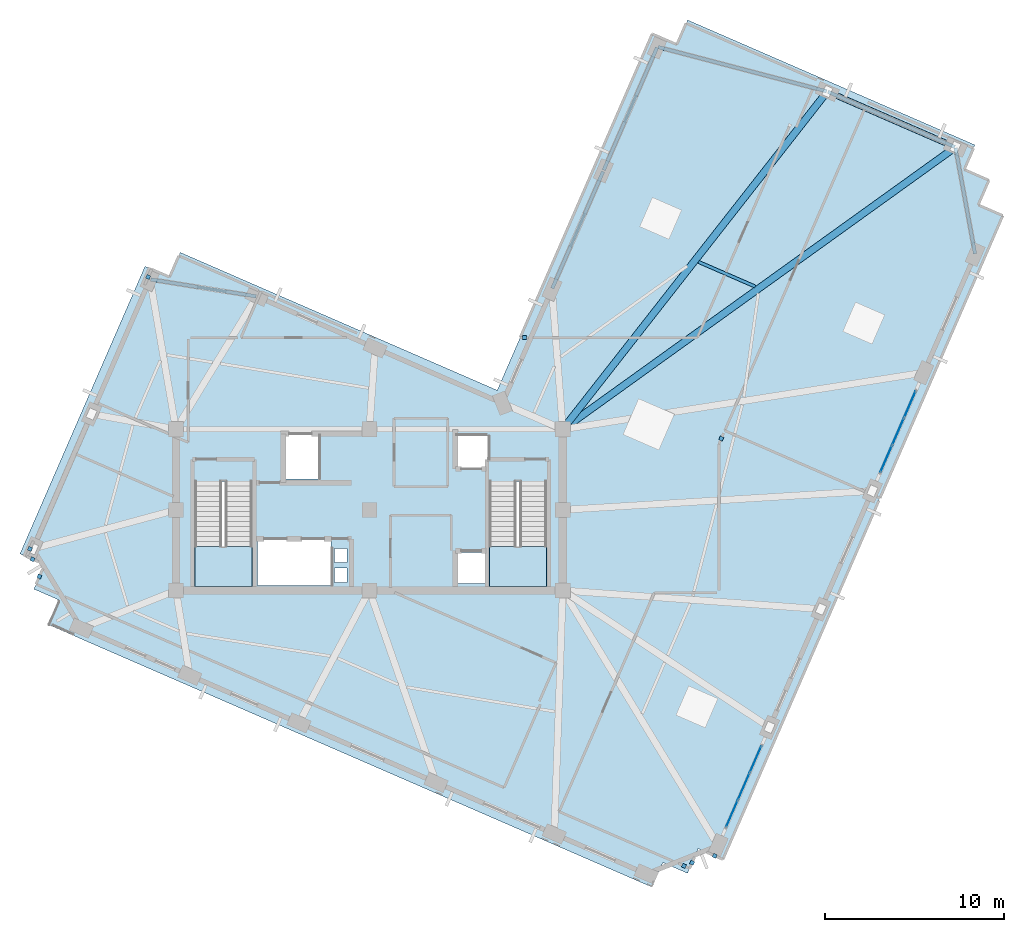
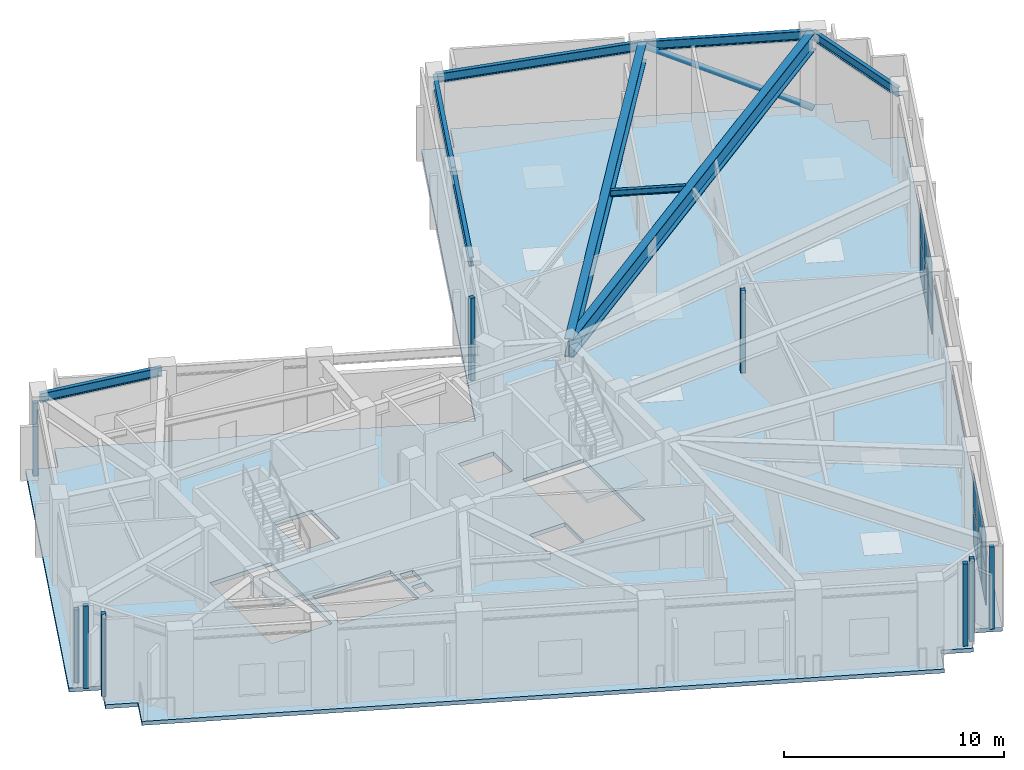
# One storey, part 3 of 11: 21 plates, 9 beams, 3 slabs, 1 member, 4 elements without a shape of their own.
"""IFC4 building model written with IfcOpenShell, lengths in metres."""

from ifc_helpers import new_model, si_unit, direction, frame, origin, origin_2d, place, context, subcontext, project, spatial, polyline, rectangle, hollow_circle, i_section, outline, extrude, material, layer, layer_set, material_profile, profile_set, type_object, element, aggregate, save


model = new_model("IFC4")

# Units and contexts
model_context = context("Model", 3, precision=1e-05, world=origin(), true_north=direction((0.0, 1.0)))
body_context = subcontext(model_context, "Body", "Model", "MODEL_VIEW")
ifc_project = project(units=[si_unit("LENGTHUNIT", "METRE"), si_unit("AREAUNIT", "SQUARE_METRE"), si_unit("VOLUMEUNIT", "CUBIC_METRE"), si_unit("PLANEANGLEUNIT", "RADIAN"), si_unit("MASSUNIT", "GRAM", prefix="KILO")], contexts=[model_context])

# Site, building, storey
site_placement = place(None, origin())
site = spatial("IfcSite", under=ifc_project, at=site_placement, CompositionType="ELEMENT")
building_placement = place(site_placement, origin())
building = spatial("IfcBuilding", under=site, at=building_placement, Name="Gaonmaruhae Medical Tower", CompositionType="ELEMENT")
storey_placement = place(building_placement, frame((0.0, 0.0, 328.60009765625)))
storey = spatial("IfcBuildingStorey", under=building, at=storey_placement, Name="L79", CompositionType="ELEMENT", Elevation=328.60009765625)

# Beams
ifc_material_1 = material(Name="Steel SM420", Category="steel")
ifc_material_profile_1 = material_profile(ifc_material_1, i_section(OverallWidth=0.39990234375, OverallDepth=1.0, WebThickness=0.02197265625, FlangeThickness=0.035888671875, at=origin_2d()), Name="BH-1000x400x22x36")
ifc_profile_set_1 = profile_set([ifc_material_profile_1], Name="Steel SM420")
beam_type_1 = type_object("IfcBeamType", Name="BG-02 Refuge Floor Primary Girder (BH-1000x400x22x36)", PredefinedType="BEAM", material=ifc_profile_set_1)
beam_1_placement = place(storey_placement, frame((35.640625, 16.8291015625, 4.079833984375), z_axis=(0.812127869731, 0.583479496818, 0.0), x_axis=(-0.583479496818, 0.812127869731, 0.0)))
element("IfcBeam", 1, at=beam_1_placement, inside=storey, type_object=beam_type_1, Name="L79 Radial Primary Girder E01", PredefinedType="BEAM", context=body_context, shape_type="SweptSolid", body=[
    extrude(i_section(OverallWidth=0.39990234375, OverallDepth=1.0, WebThickness=0.02197265625, FlangeThickness=0.035888671875, at=origin_2d()), origin(), (0.0, 0.0, 1.0), 26.89794921875),
])
beam_2_placement = place(storey_placement, frame((35.630859375, 16.83935546875, 4.079833984375), z_axis=(0.616575305367, 0.78729593725, 0.0), x_axis=(-0.78729593725, 0.616575305367, 0.0)))
element("IfcBeam", 2, at=beam_2_placement, inside=storey, type_object=beam_type_1, Name="L79 Radial Primary Girder E02", PredefinedType="BEAM", context=body_context, shape_type="SweptSolid", body=[
    extrude(i_section(OverallWidth=0.39990234375, OverallDepth=1.0, WebThickness=0.02197265625, FlangeThickness=0.035888671875, at=origin_2d()), origin(), (0.0, 0.0, 1.0), 23.859130859375),
])
ifc_material_2 = material(Name="Steel SM355", Category="steel")
ifc_material_profile_2 = material_profile(ifc_material_2, i_section(OverallWidth=0.175048828125, OverallDepth=0.35009765625, WebThickness=0.007080078125, FlangeThickness=0.010986328125, FilletRadius=0.012939453125, at=origin_2d()), Name="H-350x175x7x11")
ifc_profile_set_2 = profile_set([ifc_material_profile_2], Name="Steel SM355")
beam_type_2 = type_object("IfcBeamType", Name="FJ-02 Upper Zone Ward Floor Joist (H-350x175x7x11)", PredefinedType="JOIST", material=ifc_profile_set_2)
beam_3_placement = place(storey_placement, frame((46.34375, 24.771484375, 4.40478515625), z_axis=(-0.917037412136, 0.39880118448, 0.0), x_axis=(-0.39880118448, -0.917037412136, 0.0)))
element("IfcBeam", 3, at=beam_3_placement, inside=storey, type_object=beam_type_2, Name="L79 Secondary Floor Joist FJ06", PredefinedType="JOIST", context=body_context, shape_type="SweptSolid", body=[
    extrude(i_section(OverallWidth=0.175048828125, OverallDepth=0.35009765625, WebThickness=0.007080078125, FlangeThickness=0.010986328125, FilletRadius=0.012939453125, at=origin_2d()), origin(), (0.0, 0.0, 1.0), 3.448486328125),
])

# Member
ifc_material_profile_3 = material_profile(ifc_material_2, hollow_circle(Radius=0.1591796875, WallThickness=0.01025390625, at=origin_2d()), Name="CHS-318.5x10.3")
ifc_profile_set_3 = profile_set([ifc_material_profile_3], Name="Steel SM355")
member_type = type_object("IfcMemberType", Name="PB-03 Perimeter Solid-Bay Tube Brace Upper (CHS-318.5x10.3)", PredefinedType="BRACE", material=ifc_profile_set_3)
member_placement = place(storey_placement, frame((57.525634765625, 32.552734375, 0.25), z_axis=(-0.812607682162, 0.353328188377, 0.463495357247), x_axis=(-0.398745568807, -0.917061596272, 0.0)))
element("IfcMember", 4, at=member_placement, inside=storey, type_object=member_type, Name="L79 Perimeter Tube Solid-Bay Brace E01-E02", PredefinedType="BRACE", context=body_context, shape_type="SweptSolid", body=[
    extrude(hollow_circle(Radius=0.1591796875, WallThickness=0.01025390625, at=origin_2d()), origin(), (0.0, 0.0, 1.0), 8.80224609375),
])

# Beams
ifc_material_profile_4 = material_profile(ifc_material_2, i_section(OverallWidth=0.199951171875, OverallDepth=0.5, WebThickness=0.010009765625, FlangeThickness=0.01611328125, FilletRadius=0.012939453125, at=origin_2d()), Name="H-500x200x10x16")
ifc_profile_set_4 = profile_set([ifc_material_profile_4], Name="Steel SM355")
beam_type_3 = type_object("IfcBeamType", Name="SP-02 Upper Perimeter Spandrel Beam (H-500x200x10x16)", PredefinedType="SPANDREL", material=ifc_profile_set_4)
beam_4_placement = place(storey_placement, frame((58.622802734375, 26.60498046875, 4.329833984375), z_axis=(-0.181402379506, 0.983408957001, 0.0), x_axis=(-0.983408957001, -0.181402379506, 0.0)))
element("IfcBeam", 5, at=beam_4_placement, inside=storey, type_object=beam_type_3, Name="L79 Perimeter Spandrel Beam S06-E01", PredefinedType="SPANDREL", context=body_context, shape_type="SweptSolid", body=[
    extrude(i_section(OverallWidth=0.199951171875, OverallDepth=0.5, WebThickness=0.010009765625, FlangeThickness=0.01611328125, FilletRadius=0.012939453125, at=origin_2d()), origin(), (0.0, 0.0, 1.0), 6.0078125),
])
beam_5_placement = place(storey_placement, frame((57.489013671875, 32.568603515625, 4.329833984375), z_axis=(-0.91705648068, 0.398757333778, 0.0), x_axis=(-0.398757333778, -0.91705648068, 0.0)))
element("IfcBeam", 6, at=beam_5_placement, inside=storey, type_object=beam_type_3, Name="L79 Perimeter Spandrel Beam E01-E02", PredefinedType="SPANDREL", context=body_context, shape_type="SweptSolid", body=[
    extrude(i_section(OverallWidth=0.199951171875, OverallDepth=0.5, WebThickness=0.010009765625, FlangeThickness=0.01611328125, FilletRadius=0.012939453125, at=origin_2d()), origin(), (0.0, 0.0, 1.0), 7.719970703125),
])
beam_6_placement = place(storey_placement, frame((50.333984375, 35.673095703125, 4.329833984375), z_axis=(-0.967227039177, 0.253913084904, 0.0), x_axis=(-0.253913084904, -0.967227039177, 0.0)))
element("IfcBeam", 7, at=beam_6_placement, inside=storey, type_object=beam_type_3, Name="L79 Perimeter Spandrel Beam E02-E03", PredefinedType="SPANDREL", context=body_context, shape_type="SweptSolid", body=[
    extrude(i_section(OverallWidth=0.199951171875, OverallDepth=0.5, WebThickness=0.010009765625, FlangeThickness=0.01611328125, FilletRadius=0.012939453125, at=origin_2d()), origin(), (0.0, 0.0, 1.0), 9.7353515625),
])
beam_7_placement = place(storey_placement, frame((40.863037109375, 38.118408203125, 4.329833984375), z_axis=(-0.398738062403, -0.917064860079, 0.0), x_axis=(0.917064860079, -0.398738062403, 0.0)))
element("IfcBeam", 8, at=beam_7_placement, inside=storey, type_object=beam_type_3, Name="L79 Perimeter Spandrel Beam E03-EN01", PredefinedType="SPANDREL", context=body_context, shape_type="SweptSolid", body=[
    extrude(i_section(OverallWidth=0.199951171875, OverallDepth=0.5, WebThickness=0.010009765625, FlangeThickness=0.01611328125, FilletRadius=0.012939453125, at=origin_2d()), origin(), (0.0, 0.0, 1.0), 7.469970703125),
])
beam_8_placement = place(storey_placement, frame((37.8525390625, 31.194580078125, 4.329833984375), z_axis=(-0.398759965154, -0.917055336493, 0.0), x_axis=(0.917055336493, -0.398759965154, 0.0)))
element("IfcBeam", 9, at=beam_8_placement, inside=storey, type_object=beam_type_3, Name="L79 Perimeter Spandrel Beam EN01-EN02", PredefinedType="SPANDREL", context=body_context, shape_type="SweptSolid", body=[
    extrude(i_section(OverallWidth=0.199951171875, OverallDepth=0.5, WebThickness=0.010009765625, FlangeThickness=0.01611328125, FilletRadius=0.012939453125, at=origin_2d()), origin(), (0.0, 0.0, 1.0), 7.119873046875),
])
beam_9_placement = place(storey_placement, frame((18.4765625, 24.22265625, 4.329833984375), z_axis=(-0.987363817678, 0.158469844265, 0.0), x_axis=(-0.158469844265, -0.987363817678, 0.0)))
element("IfcBeam", 10, at=beam_9_placement, inside=storey, type_object=beam_type_3, Name="L79 Perimeter Spandrel Beam NE02-N01", PredefinedType="SPANDREL", context=body_context, shape_type="SweptSolid", body=[
    extrude(i_section(OverallWidth=0.199951171875, OverallDepth=0.5, WebThickness=0.010009765625, FlangeThickness=0.01611328125, FilletRadius=0.012939453125, at=origin_2d()), origin(), (0.0, 0.0, 1.0), 5.958984375),
])

# Curtain wall, plates
ifc_material_3 = material(Name="Anodised aluminium and Low-E double glazing", Category="aluminium")
curtain_wall_type = type_object("IfcCurtainWallType", Name="CW-S4 Setback Sky Garden Wintergarden Curtain Wall", PredefinedType="NOTDEFINED", material=ifc_material_3)
curtain_wall_1_placement = place(storey_placement, origin())
curtain_wall_1 = element("IfcCurtainWall", 11, at=curtain_wall_1_placement, inside=storey, type_object=curtain_wall_type, Name="L79 Curtain Wall CW-L79-S01", PredefinedType="NOTDEFINED")
ifc_material_4 = material(Name="Low-E double solar glass", Category="glass")
ifc_layer_1 = layer(ifc_material_4, 0.028076171875)
ifc_layer_set_1 = layer_set([ifc_layer_1], Name="Low-E double solar glass")
plate_type_1 = type_object("IfcPlateType", Name="CWP-V1 Low-E Double Vision Glazing Panel", PredefinedType="CURTAIN_PANEL", material=ifc_layer_set_1)
plate_1_placement = place(storey_placement, frame((46.3720703125, -1.625732421875, 0.06494140625), z_axis=(0.0, 0.0, 1.0), x_axis=(-0.398731932942, -0.917067525132, 0.0)))
plate_1 = element("IfcPlate", 12, at=plate_1_placement, type_object=plate_type_1, Name="CW-S4 panel 1.1", PredefinedType="CURTAIN_PANEL", context=body_context, shape_type="SweptSolid", body=[
    extrude(rectangle(XDim=1.577392578125, YDim=0.028076171875, at=origin_2d()), origin(), (0.0, 0.0, 1.0), 1.93505859375),
])
plate_2_placement = place(storey_placement, frame((46.3720703125, -1.625732421875, 2.06494140625), z_axis=(0.0, 0.0, 1.0), x_axis=(-0.398731932942, -0.917067525132, 0.0)))
plate_2 = element("IfcPlate", 13, at=plate_2_placement, type_object=plate_type_1, Name="CW-S4 panel 1.2", PredefinedType="CURTAIN_PANEL", context=body_context, shape_type="SweptSolid", body=[
    extrude(rectangle(XDim=1.577392578125, YDim=0.028076171875, at=origin_2d()), origin(), (0.0, 0.0, 1.0), 1.93505859375),
])
plate_3_placement = place(storey_placement, frame((45.710693359375, -3.14697265625, 0.06494140625), z_axis=(0.0, 0.0, 1.0), x_axis=(-0.398731932942, -0.917067525132, 0.0)))
plate_3 = element("IfcPlate", 14, at=plate_3_placement, type_object=plate_type_1, Name="CW-S4 panel 2.1", PredefinedType="CURTAIN_PANEL", context=body_context, shape_type="SweptSolid", body=[
    extrude(rectangle(XDim=1.60986328125, YDim=0.028076171875, at=origin_2d()), origin(), (0.0, 0.0, 1.0), 1.93505859375),
])
plate_4_placement = place(storey_placement, frame((45.710693359375, -3.14697265625, 2.06494140625), z_axis=(0.0, 0.0, 1.0), x_axis=(-0.398731932942, -0.917067525132, 0.0)))
plate_4 = element("IfcPlate", 15, at=plate_4_placement, type_object=plate_type_1, Name="CW-S4 panel 2.2", PredefinedType="CURTAIN_PANEL", context=body_context, shape_type="SweptSolid", body=[
    extrude(rectangle(XDim=1.60986328125, YDim=0.028076171875, at=origin_2d()), origin(), (0.0, 0.0, 1.0), 1.93505859375),
])
plate_5_placement = place(storey_placement, frame((45.04931640625, -4.668212890625, 0.06494140625), z_axis=(0.0, 0.0, 1.0), x_axis=(-0.398731932942, -0.917067525132, 0.0)))
plate_5 = element("IfcPlate", 16, at=plate_5_placement, type_object=plate_type_1, Name="CW-S4 panel 3.1", PredefinedType="CURTAIN_PANEL", context=body_context, shape_type="SweptSolid", body=[
    extrude(rectangle(XDim=1.577392578125, YDim=0.028076171875, at=origin_2d()), origin(), (0.0, 0.0, 1.0), 1.93505859375),
])
plate_6_placement = place(storey_placement, frame((45.04931640625, -4.668212890625, 2.06494140625), z_axis=(0.0, 0.0, 1.0), x_axis=(-0.398731932942, -0.917067525132, 0.0)))
plate_6 = element("IfcPlate", 17, at=plate_6_placement, type_object=plate_type_1, Name="CW-S4 panel 3.2", PredefinedType="CURTAIN_PANEL", context=body_context, shape_type="SweptSolid", body=[
    extrude(rectangle(XDim=1.577392578125, YDim=0.028076171875, at=origin_2d()), origin(), (0.0, 0.0, 1.0), 1.93505859375),
])
aggregate(curtain_wall_1, [plate_1, plate_2, plate_3, plate_4, plate_5, plate_6])

curtain_wall_2_placement = place(storey_placement, origin())
curtain_wall_2 = element("IfcCurtainWall", 18, at=curtain_wall_2_placement, inside=storey, type_object=curtain_wall_type, Name="L79 Curtain Wall CW-L79-S04", PredefinedType="NOTDEFINED")
plate_7_placement = place(storey_placement, frame((54.98486328125, 18.1826171875, 0.06494140625), z_axis=(0.0, 0.0, 1.0), x_axis=(-0.398748669551, -0.917060248038, 0.0)))
plate_7 = element("IfcPlate", 19, at=plate_7_placement, type_object=plate_type_1, Name="CW-S4 panel 1.1", PredefinedType="CURTAIN_PANEL", context=body_context, shape_type="SweptSolid", body=[
    extrude(rectangle(XDim=1.577392578125, YDim=0.028076171875, at=origin_2d()), origin(), (0.0, 0.0, 1.0), 1.93505859375),
])
plate_8_placement = place(storey_placement, frame((54.98486328125, 18.1826171875, 2.06494140625), z_axis=(0.0, 0.0, 1.0), x_axis=(-0.398748669551, -0.917060248038, 0.0)))
plate_8 = element("IfcPlate", 20, at=plate_8_placement, type_object=plate_type_1, Name="CW-S4 panel 1.2", PredefinedType="CURTAIN_PANEL", context=body_context, shape_type="SweptSolid", body=[
    extrude(rectangle(XDim=1.577392578125, YDim=0.028076171875, at=origin_2d()), origin(), (0.0, 0.0, 1.0), 1.93505859375),
])
plate_9_placement = place(storey_placement, frame((54.323486328125, 16.66162109375, 0.06494140625), z_axis=(0.0, 0.0, 1.0), x_axis=(-0.398748669551, -0.917060248038, 0.0)))
plate_9 = element("IfcPlate", 21, at=plate_9_placement, type_object=plate_type_1, Name="CW-S4 panel 2.1", PredefinedType="CURTAIN_PANEL", context=body_context, shape_type="SweptSolid", body=[
    extrude(rectangle(XDim=1.610107421875, YDim=0.028076171875, at=origin_2d()), origin(), (0.0, 0.0, 1.0), 1.93505859375),
])
plate_10_placement = place(storey_placement, frame((54.323486328125, 16.66162109375, 2.06494140625), z_axis=(0.0, 0.0, 1.0), x_axis=(-0.398748669551, -0.917060248038, 0.0)))
plate_10 = element("IfcPlate", 22, at=plate_10_placement, type_object=plate_type_1, Name="CW-S4 panel 2.2", PredefinedType="CURTAIN_PANEL", context=body_context, shape_type="SweptSolid", body=[
    extrude(rectangle(XDim=1.610107421875, YDim=0.028076171875, at=origin_2d()), origin(), (0.0, 0.0, 1.0), 1.93505859375),
])
plate_11_placement = place(storey_placement, frame((53.662109375, 15.140380859375, 0.06494140625), z_axis=(0.0, 0.0, 1.0), x_axis=(-0.398748669551, -0.917060248038, 0.0)))
plate_11 = element("IfcPlate", 23, at=plate_11_placement, type_object=plate_type_1, Name="CW-S4 panel 3.1", PredefinedType="CURTAIN_PANEL", context=body_context, shape_type="SweptSolid", body=[
    extrude(rectangle(XDim=1.577392578125, YDim=0.028076171875, at=origin_2d()), origin(), (0.0, 0.0, 1.0), 1.93505859375),
])
plate_12_placement = place(storey_placement, frame((53.662109375, 15.140380859375, 2.06494140625), z_axis=(0.0, 0.0, 1.0), x_axis=(-0.398748669551, -0.917060248038, 0.0)))
plate_12 = element("IfcPlate", 24, at=plate_12_placement, type_object=plate_type_1, Name="CW-S4 panel 3.2", PredefinedType="CURTAIN_PANEL", context=body_context, shape_type="SweptSolid", body=[
    extrude(rectangle(XDim=1.577392578125, YDim=0.028076171875, at=origin_2d()), origin(), (0.0, 0.0, 1.0), 1.93505859375),
])
aggregate(curtain_wall_2, [plate_7, plate_8, plate_9, plate_10, plate_11, plate_12])

# Slab
ifc_material_5 = material(Name="Concrete C40/50", Category="concrete")
ifc_layer_2 = layer(ifc_material_5, 0.219970703125)
ifc_layer_set_2 = layer_set([ifc_layer_2], Name="Concrete C40/50")
slab_type_1 = type_object("IfcSlabType", Name="FS-220 Clinical Ward Composite Floor Slab", PredefinedType="FLOOR", material=ifc_layer_set_2)
slab_1_placement = place(storey_placement, frame((0.0, 0.0, -0.22021484375)))
element("IfcSlab", 25, at=slab_1_placement, inside=storey, type_object=slab_type_1, Name="L79 Structural Slab 1", PredefinedType="FLOOR", context=body_context, shape_type="SweptSolid", body=[
    extrude(outline(polyline([(44.540283203125, -7.218017578125), (60.171142578125, 28.730712890625), (58.795654296875, 29.328857421875), (59.393798828125, 30.70458984375), (58.01806640625, 31.302490234375), (58.6162109375, 32.67822265625), (42.567626953125, 39.65625), (41.969482421875, 38.28076171875), (40.593994140625, 38.87890625), (31.941162109375, 18.978515625), (14.241943359375, 26.674560546875), (13.643798828125, 25.298828125), (12.268310546875, 25.89697265625), (5.2900390625, 9.848388671875), (6.665771484375, 9.25048828125), (6.0673828125, 7.874755859375), (7.443115234375, 7.276611328125), (6.844970703125, 5.901123046875), (40.5927734375, -8.77294921875), (41.19091796875, -7.397216796875), (42.56640625, -7.995361328125), (43.164794921875, -6.619873046875), (44.540283203125, -7.218017578125)]), holes=[polyline([(23.550048828125, 8.25), (22.85009765625, 8.25), (22.85009765625, 9.050048828125), (23.550048828125, 9.050048828125), (23.550048828125, 8.25)]), polyline([(29.574951171875, 9.925048828125), (31.425048828125, 9.925048828125), (31.425048828125, 8.175048828125), (29.574951171875, 8.175048828125), (29.574951171875, 9.925048828125)]), polyline([(18.550048828125, 10.625), (22.64990234375, 10.625), (22.64990234375, 8.074951171875), (18.550048828125, 8.074951171875), (18.550048828125, 10.625)]), polyline([(23.550048828125, 9.35009765625), (22.85009765625, 9.35009765625), (22.85009765625, 10.14990234375), (23.550048828125, 10.14990234375), (23.550048828125, 9.35009765625)]), polyline([(15.050048828125, 13.889892578125), (18.25, 13.889892578125), (18.25, 8.300048828125), (15.050048828125, 8.300048828125), (15.050048828125, 13.889892578125)]), polyline([(31.5, 13.889892578125), (34.699951171875, 13.889892578125), (34.699951171875, 8.300048828125), (31.5, 8.300048828125), (31.5, 13.889892578125)]), polyline([(21.949951171875, 16.574951171875), (21.949951171875, 14.02490234375), (19.949951171875, 14.02490234375), (19.949951171875, 16.574951171875), (21.949951171875, 16.574951171875)]), polyline([(31.425048828125, 16.425048828125), (31.425048828125, 14.675048828125), (29.574951171875, 14.675048828125), (29.574951171875, 16.425048828125), (31.425048828125, 16.425048828125)])]), origin(), (0.0, 0.0, 1.0), 0.22021484375),
])

# Plates
ifc_material_6 = material(Name="Anodised aluminium 6063-T6", Category="aluminium")
ifc_layer_3 = layer(ifc_material_6, 0.011962890625)
ifc_layer_set_3 = layer_set([ifc_layer_3], Name="Anodised aluminium 6063-T6")
plate_type_2 = type_object("IfcPlateType", Name="PP-01 Interior Partition Corner Stiffener Plate", PredefinedType="SHEET", material=ifc_layer_set_3)
for number, where, z_axis, x_axis, name in (
    (26, (44.45361328125, 16.281494140625, -0.000244140625), (0.0, 0.0, 1.0), (0.399325196016, 0.916809351952, 0.0), "L79 Partition Corner Stiffener Plate PLT-L79-JGP-PW017"),
    (27, (44.08740234375, -7.02099609375, -0.000244140625), (0.0, 0.0, 1.0), (-0.916879033383, 0.399165176517, 0.0), "L79 Partition Corner Stiffener Plate PLT-L79-JGP-PW019"),
    (28, (42.822998046875, -7.405029296875, -0.000244140625), (0.0, 0.0, 1.0), (-0.398829095996, -0.917025273473, 0.0), "L79 Partition Corner Stiffener Plate PLT-L79-JGP-PW020"),
    (29, (42.37109375, -7.5830078125, -0.000244140625), (0.0, 0.0, 1.0), (-0.917025273473, 0.398829095996, 0.0), "L79 Partition Corner Stiffener Plate PLT-L79-JGP-PW021"),
    (30, (33.45703125, 21.919921875, -0.000244140625), (0.0, 0.0, 1.0), (-1.0, 0.0, 0.0), "L79 Partition Corner Stiffener Plate PLT-L79-JGP-PW027"),
):
    element("IfcPlate", number, at=place(storey_placement, frame(where, z_axis=z_axis, x_axis=x_axis)), inside=storey, type_object=plate_type_2, Name=name, PredefinedType="SHEET", context=body_context, shape_type="SweptSolid", body=[
        extrude(rectangle(XDim=0.219970703125, YDim=0.219970703125, at=origin_2d()), origin(), (0.0, 0.0, 1.0), 4.580078125),
    ])
plate_13_placement = place(storey_placement, frame((5.845947265625, 10.12353515625, 0.0), z_axis=(0.0, 0.0, 1.0), x_axis=(0.39887711078, 0.917004389573, 0.0)))
element("IfcPlate", 31, at=plate_13_placement, inside=storey, type_object=plate_type_2, Name="L79 Partition Corner Stiffener Plate PLT-L79-JGP-PW033", PredefinedType="SHEET", context=body_context, shape_type="SweptSolid", body=[
    extrude(rectangle(XDim=0.219970703125, YDim=0.219970703125, at=origin_2d()), origin(), (0.0, 0.0, 1.0), 4.06494140625),
])
for number, where, z_axis, x_axis, name in (
    (32, (6.37451171875, 8.580078125, -0.000244140625), (0.0, 0.0, 1.0), (0.399693194693, 0.91664897868, 0.0), "L79 Partition Corner Stiffener Plate PLT-L79-JGP-PW040"),
    (33, (5.991455078125, 9.54345703125, -0.000244140625), (0.0, 0.0, 1.0), (-0.917004389573, 0.39887711078, 0.0), "L79 Partition Corner Stiffener Plate PLT-L79-JGP-PW041"),
):
    element("IfcPlate", number, at=place(storey_placement, frame(where, z_axis=z_axis, x_axis=x_axis)), inside=storey, type_object=plate_type_2, Name=name, PredefinedType="SHEET", context=body_context, shape_type="SweptSolid", body=[
        extrude(rectangle(XDim=0.219970703125, YDim=0.219970703125, at=origin_2d()), origin(), (0.0, 0.0, 1.0), 4.580078125),
    ])
plate_14_placement = place(storey_placement, frame((12.446044921875, 25.303466796875, 0.0), z_axis=(0.0, 0.0, 1.0), x_axis=(0.39887711078, 0.917004389573, 0.0)))
element("IfcPlate", 34, at=plate_14_placement, inside=storey, type_object=plate_type_2, Name="L79 Partition Corner Stiffener Plate PLT-L79-JGP-PW049", PredefinedType="SHEET", context=body_context, shape_type="SweptSolid", body=[
    extrude(rectangle(XDim=0.219970703125, YDim=0.219970703125, at=origin_2d()), origin(), (0.0, 0.0, 1.0), 4.06494140625),
])

# Stair, slab
stair_type = type_object("IfcStairType", Name="ST-T1 Primary Core Escape Dogleg Stair", PredefinedType="TWO_QUARTER_TURN_STAIR", material=ifc_material_5)
stair_1_placement = place(storey_placement, origin())
stair_1 = element("IfcStair", 35, at=stair_1_placement, inside=storey, type_object=stair_type, Name="L79 Protected Escape Stair ST-01", PredefinedType="TWO_QUARTER_TURN_STAIR")
ifc_layer_4 = layer(ifc_material_5, 0.199951171875)
ifc_layer_set_4 = layer_set([ifc_layer_4], Name="Concrete C40/50")
slab_type_2 = type_object("IfcSlabType", Name="SL-200 Stair & Ramp Intermediate Concrete Landing", PredefinedType="LANDING", material=ifc_layer_set_4)
slab_2_placement = place(storey_placement, frame((0.0, 0.0, 2.199951171875)))
slab_2 = element("IfcSlab", 36, at=slab_2_placement, type_object=slab_type_2, Name="ST-01 landing 1", PredefinedType="LANDING", context=body_context, shape_type="SweptSolid", body=[
    extrude(outline(polyline([(15.050048828125, 10.260009765625), (15.050048828125, 8.029052734375), (18.25, 8.029052734375), (18.25, 10.260009765625), (15.050048828125, 10.260009765625)])), origin(), (0.0, 0.0, 1.0), 0.199951171875),
])
aggregate(stair_1, [slab_2])

stair_2_placement = place(storey_placement, origin())
stair_2 = element("IfcStair", 37, at=stair_2_placement, inside=storey, type_object=stair_type, Name="L79 Protected Escape Stair ST-02", PredefinedType="TWO_QUARTER_TURN_STAIR")
slab_3_placement = place(storey_placement, frame((0.0, 0.0, 2.199951171875)))
slab_3 = element("IfcSlab", 38, at=slab_3_placement, type_object=slab_type_2, Name="ST-02 landing 1", PredefinedType="LANDING", context=body_context, shape_type="SweptSolid", body=[
    extrude(outline(polyline([(31.5, 10.260009765625), (31.5, 8.029052734375), (34.699951171875, 8.029052734375), (34.699951171875, 10.260009765625), (31.5, 10.260009765625)])), origin(), (0.0, 0.0, 1.0), 0.199951171875),
])
aggregate(stair_2, [slab_3])

save(model, "model.ifc")
